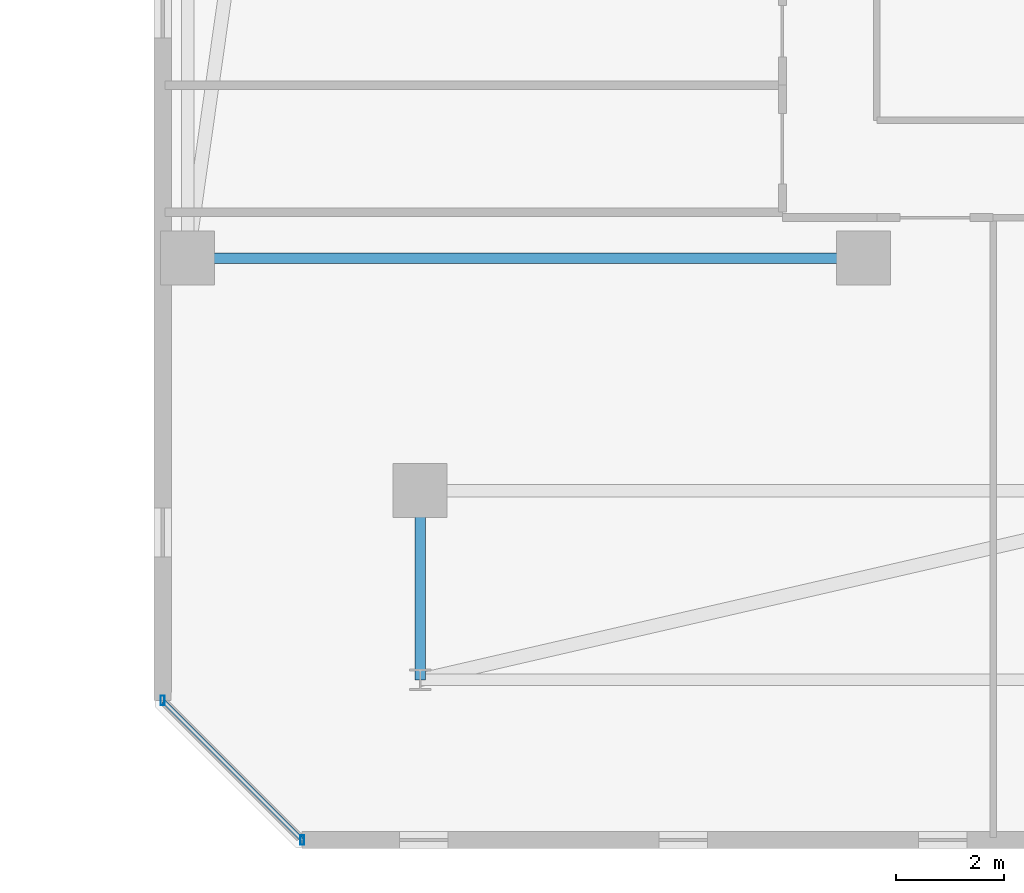
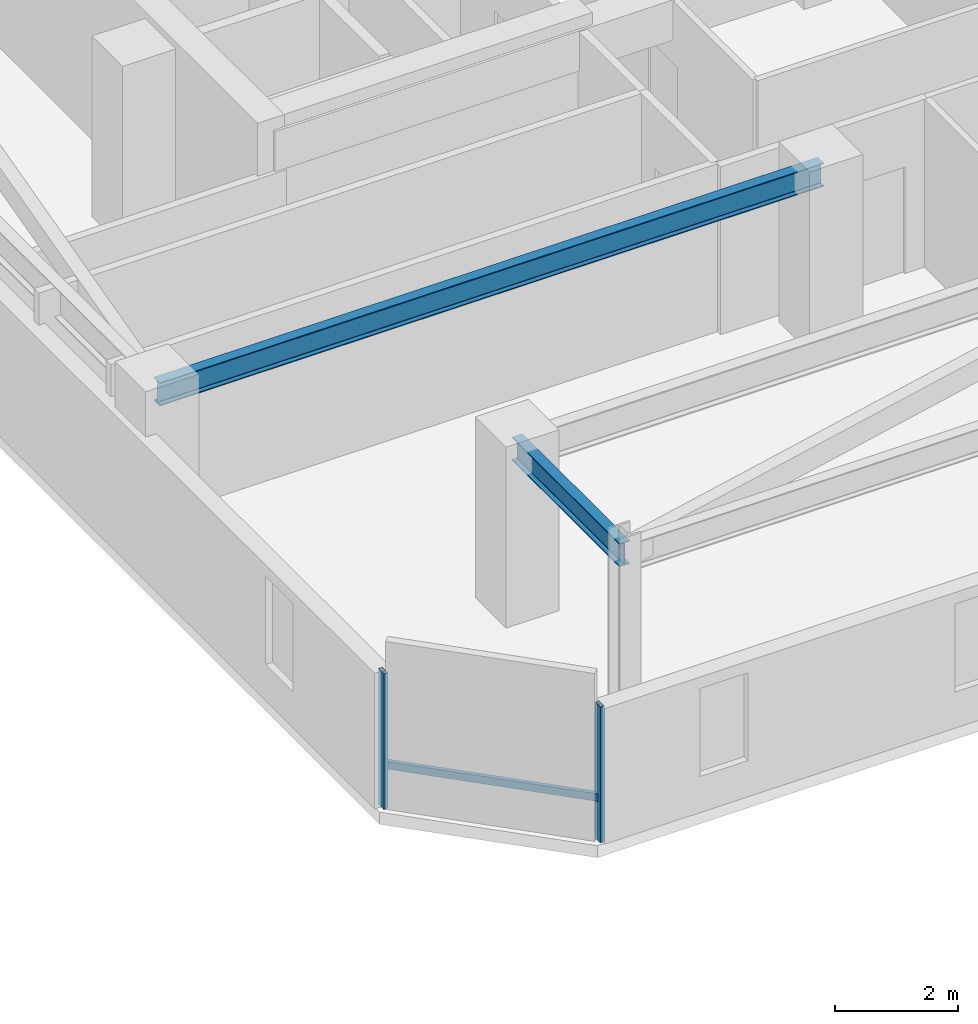
# One storey, part 10 of 32: 3 members, 2 beams, 1 element without a shape of its own.
"""IFC4 building model written with IfcOpenShell, lengths in metres."""

from ifc_helpers import new_model, si_unit, direction, frame, origin, origin_2d, place, context, subcontext, project, spatial, hollow_rectangle, i_section, extrude, material, material_profile, profile_set, type_object, element, aggregate, save


model = new_model("IFC4")

# Units and contexts
model_context = context("Model", 3, precision=1e-05, world=origin(), true_north=direction((0.0, 1.0)))
body_context = subcontext(model_context, "Body", "Model", "MODEL_VIEW")
ifc_project = project(units=[si_unit("LENGTHUNIT", "METRE"), si_unit("AREAUNIT", "SQUARE_METRE"), si_unit("VOLUMEUNIT", "CUBIC_METRE"), si_unit("PLANEANGLEUNIT", "RADIAN"), si_unit("MASSUNIT", "GRAM", prefix="KILO")], contexts=[model_context])

# Site, building, storey
site_placement = place(None, origin())
site = spatial("IfcSite", under=ifc_project, at=site_placement, CompositionType="ELEMENT")
building_placement = place(site_placement, origin())
building = spatial("IfcBuilding", under=site, at=building_placement, Name="Thornwick Lancets Civic Towers", CompositionType="ELEMENT")
storey_placement = place(building_placement, frame((0.0, 0.0, 247.5)))
storey = spatial("IfcBuildingStorey", under=building, at=storey_placement, Name="L66", CompositionType="ELEMENT", Elevation=247.5)

# Beams
ifc_material_1 = material(Name="Steel S355JR", Category="steel")
ifc_material_profile_1 = material_profile(ifc_material_1, i_section(OverallWidth=0.19189453125, OverallDepth=0.46337890625, WebThickness=0.010498046875, FlangeThickness=0.017578125, FilletRadius=0.01025390625, at=origin_2d()), Name="UKB 457x191x89")
ifc_profile_set_1 = profile_set([ifc_material_profile_1], Name="Steel S355JR")
beam_type = type_object("IfcBeamType", Name="BM_JOIST_457_89", PredefinedType="JOIST", material=ifc_profile_set_1)
beam_1_placement = place(storey_placement, frame((83.699951171875, 14.0, 3.12841796875), z_axis=(-1.0, 0.0, 0.0), x_axis=(0.0, -1.0, 0.0)))
element("IfcBeam", 1, at=beam_1_placement, inside=storey, type_object=beam_type, Name="BM-RADIN-L66-B07", PredefinedType="JOIST", context=body_context, shape_type="SweptSolid", body=[
    extrude(i_section(OverallWidth=0.19189453125, OverallDepth=0.46337890625, WebThickness=0.010498046875, FlangeThickness=0.017578125, FilletRadius=0.01025390625, at=origin_2d()), origin(), (0.0, 0.0, 1.0), 12.5),
])
beam_2_placement = place(storey_placement, frame((75.5, 9.699951171875, 3.12841796875), z_axis=(0.0, -1.0, 0.0), x_axis=(1.0, 0.0, 0.0)))
element("IfcBeam", 2, at=beam_2_placement, inside=storey, type_object=beam_type, Name="BM-RAD-L66-B12", PredefinedType="JOIST", context=body_context, shape_type="SweptSolid", body=[
    extrude(i_section(OverallWidth=0.19189453125, OverallDepth=0.46337890625, WebThickness=0.010498046875, FlangeThickness=0.017578125, FilletRadius=0.01025390625, at=origin_2d()), origin(), (0.0, 0.0, 1.0), 3.5),
])

# Curtain wall, members
ifc_material_2 = material(Name="High-zone chamfered-corner unitised glass curtain wall", Category="glass")
curtain_wall_type = type_object("IfcCurtainWallType", Name="CW_SYS_05", PredefinedType="NOTDEFINED", material=ifc_material_2)
curtain_wall_placement = place(storey_placement, origin())
curtain_wall = element("IfcCurtainWall", 3, at=curtain_wall_placement, inside=storey, type_object=curtain_wall_type, Name="L66 Curtain Wall CW-L66-B-E7", PredefinedType="NOTDEFINED")
ifc_material_3 = material(Name="Thermally broken bronze aluminium S355", Category="steel")
ifc_material_profile_2 = material_profile(ifc_material_3, hollow_rectangle(XDim=0.074951171875, YDim=0.179931640625, WallThickness=0.006103515625, at=origin_2d()), Name="RHS 180x75x6")
ifc_profile_set_2 = profile_set([ifc_material_profile_2], Name="Thermally broken bronze aluminium S355")
member_type_1 = type_object("IfcMemberType", Name="CW_MUL_180", PredefinedType="MULLION", material=ifc_profile_set_2)
member_1_placement = place(storey_placement, frame((70.7353515625, 5.818603515625, 0.0), z_axis=(0.0, 0.0, 1.0), x_axis=(1.0, 0.0, 0.0)))
member_1 = element("IfcMember", 4, at=member_1_placement, type_object=member_type_1, Name="CW-L66-B-E7 Mullion 0", PredefinedType="MULLION", context=body_context, shape_type="SweptSolid", body=[
    extrude(hollow_rectangle(XDim=0.074951171875, YDim=0.179931640625, WallThickness=0.006103515625, at=origin_2d()), origin(), (0.0, 0.0, 1.0), 2.699951171875),
])
member_2_placement = place(storey_placement, frame((73.318603515625, 3.2353515625, 0.0), z_axis=(0.0, 0.0, 1.0), x_axis=(1.0, 0.0, 0.0)))
member_2 = element("IfcMember", 5, at=member_2_placement, type_object=member_type_1, Name="CW-L66-B-E7 Mullion 1", PredefinedType="MULLION", context=body_context, shape_type="SweptSolid", body=[
    extrude(hollow_rectangle(XDim=0.074951171875, YDim=0.179931640625, WallThickness=0.006103515625, at=origin_2d()), origin(), (0.0, 0.0, 1.0), 2.699951171875),
])
ifc_material_profile_3 = material_profile(ifc_material_3, hollow_rectangle(XDim=0.074951171875, YDim=0.14990234375, WallThickness=0.0048828125, at=origin_2d()), Name="RHS 150x75x5")
ifc_profile_set_3 = profile_set([ifc_material_profile_3], Name="Thermally broken bronze aluminium S355")
member_type_2 = type_object("IfcMemberType", Name="CW_TRN_150", PredefinedType="USERDEFINED", material=ifc_profile_set_3)
member_3_placement = place(storey_placement, frame((70.74951171875, 5.804443359375, 0.85009765625), z_axis=(0.707106781187, -0.707106781187, 0.0), x_axis=(0.707106781187, 0.707106781187, 0.0)))
member_3 = element("IfcMember", 6, at=member_3_placement, type_object=member_type_2, Name="CW-L66-B-E7 Transom 0", ObjectType="TRANSOM", PredefinedType="USERDEFINED", context=body_context, shape_type="SweptSolid", body=[
    extrude(hollow_rectangle(XDim=0.074951171875, YDim=0.14990234375, WallThickness=0.0048828125, at=origin_2d()), origin(), (0.0, 0.0, 1.0), 3.61328125),
])
aggregate(curtain_wall, [member_1, member_2, member_3])

save(model, "model.ifc")
